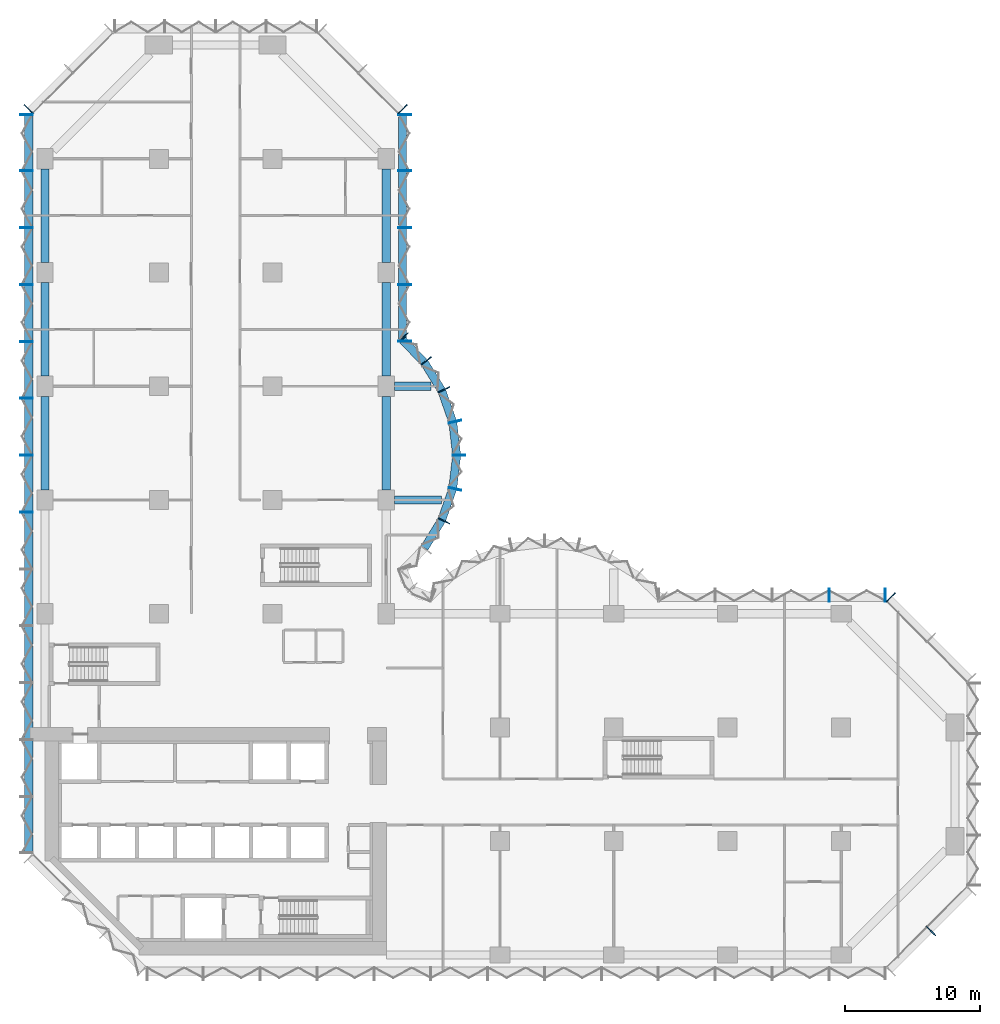
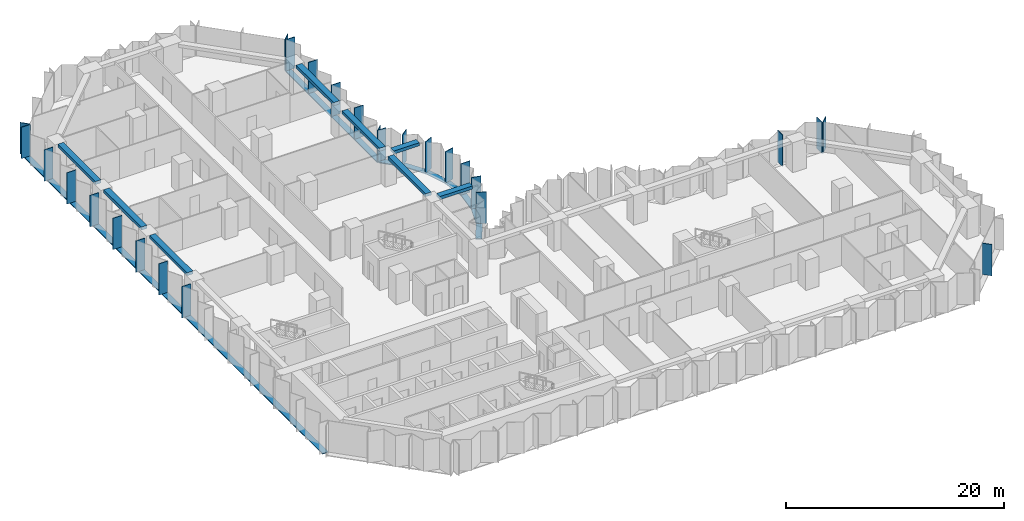
# One storey, part 3 of 15: 35 members, 8 beams, 8 elements without a shape of their own.
"""IFC4 building model written with IfcOpenShell, lengths in metres."""

from ifc_helpers import new_model, si_unit, direction, frame, origin, origin_2d, place, context, subcontext, project, spatial, rectangle, extrude, material, material_profile, profile_set, type_object, element, aggregate, save


model = new_model("IFC4")

# Units and contexts
model_context = context("Model", 3, precision=1e-05, world=origin(), true_north=direction((0.0, 1.0)))
body_context = subcontext(model_context, "Body", "Model", "MODEL_VIEW")
ifc_project = project(units=[si_unit("LENGTHUNIT", "METRE"), si_unit("AREAUNIT", "SQUARE_METRE"), si_unit("VOLUMEUNIT", "CUBIC_METRE"), si_unit("PLANEANGLEUNIT", "RADIAN"), si_unit("MASSUNIT", "GRAM", prefix="KILO")], contexts=[model_context])

# Site, building, storey
site_placement = place(None, origin())
site = spatial("IfcSite", under=ifc_project, at=site_placement, CompositionType="ELEMENT")
building_placement = place(site_placement, origin())
building = spatial("IfcBuilding", under=site, at=building_placement, Name="Brevane Broadcast Tower", CompositionType="ELEMENT")
storey_placement = place(building_placement, frame((0.0, 0.0, 61.699951171875)))
storey = spatial("IfcBuildingStorey", under=building, at=storey_placement, Name="L13", CompositionType="ELEMENT", Elevation=61.699951171875)

# Curtain wall, member
ifc_material_1 = material(Name="Aluminium 6063-T6 bronze anodised", Category="aluminium")
curtain_wall_type = type_object("IfcCurtainWallType", Name="CW-1 curtain wall", PredefinedType="NOTDEFINED", material=ifc_material_1)
curtain_wall_1_placement = place(storey_placement, origin())
curtain_wall_1 = element("IfcCurtainWall", 1, at=curtain_wall_1_placement, inside=storey, type_object=curtain_wall_type, Name="CW-1 typical tilted unit L13 south-east chamfer", PredefinedType="NOTDEFINED")
ifc_material_profile_1 = material_profile(ifc_material_1, rectangle(XDim=0.949951171875, YDim=0.070068359375, at=origin_2d()), Name="RECT 70x950")
ifc_profile_set_1 = profile_set([ifc_material_profile_1], Name="Aluminium 6063-T6 bronze anodised")
member_type_1 = type_object("IfcMemberType", Name="CW-1 mullion 70x950", PredefinedType="MULLION", material=ifc_profile_set_1)
member_1_placement = place(storey_placement, frame((65.435791015625, 1.76416015625, -0.14990234375), z_axis=(0.0, 0.0, 1.0), x_axis=(-0.707106781187, 0.707106781187, 0.0)))
member_1 = element("IfcMember", 2, at=member_1_placement, type_object=member_type_1, Name="CW-1 mullion", PredefinedType="MULLION", context=body_context, shape_type="SweptSolid", body=[
    extrude(rectangle(XDim=0.949951171875, YDim=0.070068359375, at=origin_2d()), origin(), (0.0, 0.0, 1.0), 3.5),
])
aggregate(curtain_wall_1, [member_1])

curtain_wall_2_placement = place(storey_placement, origin())
curtain_wall_2 = element("IfcCurtainWall", 3, at=curtain_wall_2_placement, inside=storey, type_object=curtain_wall_type, Name="CW-1 typical tilted unit L13 north-east chamfer", PredefinedType="NOTDEFINED")
member_2_placement = place(storey_placement, frame((62.460693359375, 26.4111328125, -0.14990234375), z_axis=(0.0, 0.0, 1.0), x_axis=(-0.707106781187, -0.707106781187, 0.0)))
member_2 = element("IfcMember", 4, at=member_2_placement, type_object=member_type_1, Name="CW-1 mullion", PredefinedType="MULLION", context=body_context, shape_type="SweptSolid", body=[
    extrude(rectangle(XDim=0.949951171875, YDim=0.070068359375, at=origin_2d()), origin(), (0.0, 0.0, 1.0), 3.5),
])
aggregate(curtain_wall_2, [member_2])

# Curtain wall, members
curtain_wall_3_placement = place(storey_placement, origin())
curtain_wall_3 = element("IfcCurtainWall", 5, at=curtain_wall_3_placement, inside=storey, type_object=curtain_wall_type, Name="CW-1 typical tilted unit L13 east arm north face", PredefinedType="NOTDEFINED")
member_3_placement = place(storey_placement, frame((62.06494140625, 26.574951171875, -0.14990234375), z_axis=(0.0, 0.0, 1.0), x_axis=(0.0, -1.0, 0.0)))
member_3 = element("IfcMember", 6, at=member_3_placement, type_object=member_type_1, Name="CW-1 mullion", PredefinedType="MULLION", context=body_context, shape_type="SweptSolid", body=[
    extrude(rectangle(XDim=0.949951171875, YDim=0.070068359375, at=origin_2d()), origin(), (0.0, 0.0, 1.0), 3.5),
])
member_4_placement = place(storey_placement, frame((57.89990234375, 26.574951171875, -0.14990234375), z_axis=(0.0, 0.0, 1.0), x_axis=(0.0, -1.0, 0.0)))
member_4 = element("IfcMember", 7, at=member_4_placement, type_object=member_type_1, Name="CW-1 mullion", PredefinedType="MULLION", context=body_context, shape_type="SweptSolid", body=[
    extrude(rectangle(XDim=0.949951171875, YDim=0.070068359375, at=origin_2d()), origin(), (0.0, 0.0, 1.0), 3.5),
])
aggregate(curtain_wall_3, [member_3, member_4])

curtain_wall_4_placement = place(storey_placement, origin())
curtain_wall_4 = element("IfcCurtainWall", 8, at=curtain_wall_4_placement, inside=storey, type_object=curtain_wall_type, Name="CW-1 typical tilted unit L13 north bow", PredefinedType="NOTDEFINED")
member_5_placement = place(storey_placement, frame((29.4580078125, 32.05322265625, -0.14990234375), z_axis=(0.0, 0.0, 1.0), x_axis=(-0.902860508933, 0.429933601163, 0.0)))
member_5 = element("IfcMember", 9, at=member_5_placement, type_object=member_type_1, Name="CW-1 mullion", PredefinedType="MULLION", context=body_context, shape_type="SweptSolid", body=[
    extrude(rectangle(XDim=0.949951171875, YDim=0.070068359375, at=origin_2d()), origin(), (0.0, 0.0, 1.0), 3.5),
])
member_6_placement = place(storey_placement, frame((30.28076171875, 34.411865234375, -0.14990234375), z_axis=(0.0, 0.0, 1.0), x_axis=(-0.974403430594, 0.224806482215, 0.0)))
member_6 = element("IfcMember", 10, at=member_6_placement, type_object=member_type_1, Name="CW-1 mullion", PredefinedType="MULLION", context=body_context, shape_type="SweptSolid", body=[
    extrude(rectangle(XDim=0.949951171875, YDim=0.070068359375, at=origin_2d()), origin(), (0.0, 0.0, 1.0), 3.5),
])
member_7_placement = place(storey_placement, frame((30.574951171875, 36.89990234375, -0.14990234375), z_axis=(0.0, 0.0, 1.0), x_axis=(-1.0, 0.0, 0.0)))
member_7 = element("IfcMember", 11, at=member_7_placement, type_object=member_type_1, Name="CW-1 mullion", PredefinedType="MULLION", context=body_context, shape_type="SweptSolid", body=[
    extrude(rectangle(XDim=0.949951171875, YDim=0.070068359375, at=origin_2d()), origin(), (0.0, 0.0, 1.0), 3.5),
])
member_8_placement = place(storey_placement, frame((30.28076171875, 39.38818359375, -0.14990234375), z_axis=(0.0, 0.0, 1.0), x_axis=(-0.974403430594, -0.224806482215, 0.0)))
member_8 = element("IfcMember", 12, at=member_8_placement, type_object=member_type_1, Name="CW-1 mullion", PredefinedType="MULLION", context=body_context, shape_type="SweptSolid", body=[
    extrude(rectangle(XDim=0.949951171875, YDim=0.070068359375, at=origin_2d()), origin(), (0.0, 0.0, 1.0), 3.5),
])
member_9_placement = place(storey_placement, frame((29.4580078125, 41.746826171875, -0.14990234375), z_axis=(0.0, 0.0, 1.0), x_axis=(-0.902860508933, -0.429933601163, 0.0)))
member_9 = element("IfcMember", 13, at=member_9_placement, type_object=member_type_1, Name="CW-1 mullion", PredefinedType="MULLION", context=body_context, shape_type="SweptSolid", body=[
    extrude(rectangle(XDim=0.949951171875, YDim=0.070068359375, at=origin_2d()), origin(), (0.0, 0.0, 1.0), 3.5),
])
member_10_placement = place(storey_placement, frame((28.1455078125, 43.8720703125, -0.14990234375), z_axis=(0.0, 0.0, 1.0), x_axis=(-0.788706642853, -0.614769738617, 0.0)))
member_10 = element("IfcMember", 14, at=member_10_placement, type_object=member_type_1, Name="CW-1 mullion", PredefinedType="MULLION", context=body_context, shape_type="SweptSolid", body=[
    extrude(rectangle(XDim=0.949951171875, YDim=0.070068359375, at=origin_2d()), origin(), (0.0, 0.0, 1.0), 3.5),
])
member_11_placement = place(storey_placement, frame((26.465087890625, 45.60595703125, -0.14990234375), z_axis=(0.0, 0.0, 1.0), x_axis=(-0.717253872699, -0.696811941702, 0.0)))
member_11 = element("IfcMember", 15, at=member_11_placement, type_object=member_type_1, Name="CW-1 mullion", PredefinedType="MULLION", context=body_context, shape_type="SweptSolid", body=[
    extrude(rectangle(XDim=0.949951171875, YDim=0.070068359375, at=origin_2d()), origin(), (0.0, 0.0, 1.0), 3.5),
])

curtain_wall_5_placement = place(storey_placement, origin())
curtain_wall_5 = element("IfcCurtainWall", 16, at=curtain_wall_5_placement, inside=storey, type_object=curtain_wall_type, Name="CW-1 typical tilted unit L13 north arm east face", PredefinedType="NOTDEFINED")
member_12_placement = place(storey_placement, frame((26.574951171875, 45.3349609375, -0.14990234375), z_axis=(0.0, 0.0, 1.0), x_axis=(-1.0, 0.0, 0.0)))
member_12 = element("IfcMember", 17, at=member_12_placement, type_object=member_type_1, Name="CW-1 mullion", PredefinedType="MULLION", context=body_context, shape_type="SweptSolid", body=[
    extrude(rectangle(XDim=0.949951171875, YDim=0.070068359375, at=origin_2d()), origin(), (0.0, 0.0, 1.0), 3.5),
])
member_13_placement = place(storey_placement, frame((26.574951171875, 49.5, -0.14990234375), z_axis=(0.0, 0.0, 1.0), x_axis=(-1.0, 0.0, 0.0)))
member_13 = element("IfcMember", 18, at=member_13_placement, type_object=member_type_1, Name="CW-1 mullion", PredefinedType="MULLION", context=body_context, shape_type="SweptSolid", body=[
    extrude(rectangle(XDim=0.949951171875, YDim=0.070068359375, at=origin_2d()), origin(), (0.0, 0.0, 1.0), 3.5),
])
member_14_placement = place(storey_placement, frame((26.574951171875, 53.699951171875, -0.14990234375), z_axis=(0.0, 0.0, 1.0), x_axis=(-1.0, 0.0, 0.0)))
member_14 = element("IfcMember", 19, at=member_14_placement, type_object=member_type_1, Name="CW-1 mullion", PredefinedType="MULLION", context=body_context, shape_type="SweptSolid", body=[
    extrude(rectangle(XDim=0.949951171875, YDim=0.070068359375, at=origin_2d()), origin(), (0.0, 0.0, 1.0), 3.5),
])
member_15_placement = place(storey_placement, frame((26.574951171875, 57.89990234375, -0.14990234375), z_axis=(0.0, 0.0, 1.0), x_axis=(-1.0, 0.0, 0.0)))
member_15 = element("IfcMember", 20, at=member_15_placement, type_object=member_type_1, Name="CW-1 mullion", PredefinedType="MULLION", context=body_context, shape_type="SweptSolid", body=[
    extrude(rectangle(XDim=0.949951171875, YDim=0.070068359375, at=origin_2d()), origin(), (0.0, 0.0, 1.0), 3.5),
])
member_16_placement = place(storey_placement, frame((26.574951171875, 62.06494140625, -0.14990234375), z_axis=(0.0, 0.0, 1.0), x_axis=(-1.0, 0.0, 0.0)))
member_16 = element("IfcMember", 21, at=member_16_placement, type_object=member_type_1, Name="CW-1 mullion", PredefinedType="MULLION", context=body_context, shape_type="SweptSolid", body=[
    extrude(rectangle(XDim=0.949951171875, YDim=0.070068359375, at=origin_2d()), origin(), (0.0, 0.0, 1.0), 3.5),
])

# Curtain wall, member
curtain_wall_6_placement = place(storey_placement, origin())
curtain_wall_6 = element("IfcCurtainWall", 22, at=curtain_wall_6_placement, inside=storey, type_object=curtain_wall_type, Name="CW-1 typical tilted unit L13 north arm north-east chamfer", PredefinedType="NOTDEFINED")
member_17_placement = place(storey_placement, frame((26.4111328125, 62.460693359375, -0.14990234375), z_axis=(0.0, 0.0, 1.0), x_axis=(-0.707106781187, -0.707106781187, 0.0)))
member_17 = element("IfcMember", 23, at=member_17_placement, type_object=member_type_1, Name="CW-1 mullion", PredefinedType="MULLION", context=body_context, shape_type="SweptSolid", body=[
    extrude(rectangle(XDim=0.949951171875, YDim=0.070068359375, at=origin_2d()), origin(), (0.0, 0.0, 1.0), 3.5),
])
aggregate(curtain_wall_6, [member_17])

curtain_wall_7_placement = place(storey_placement, origin())
curtain_wall_7 = element("IfcCurtainWall", 24, at=curtain_wall_7_placement, inside=storey, type_object=curtain_wall_type, Name="CW-1 typical tilted unit L13 north-west chamfer", PredefinedType="NOTDEFINED")
member_18_placement = place(storey_placement, frame((-1.211181640625, 62.460693359375, -0.14990234375), z_axis=(0.0, 0.0, 1.0), x_axis=(0.707106781187, -0.707106781187, 0.0)))
member_18 = element("IfcMember", 25, at=member_18_placement, type_object=member_type_1, Name="CW-1 mullion", PredefinedType="MULLION", context=body_context, shape_type="SweptSolid", body=[
    extrude(rectangle(XDim=0.949951171875, YDim=0.070068359375, at=origin_2d()), origin(), (0.0, 0.0, 1.0), 3.5),
])
aggregate(curtain_wall_7, [member_18])

# Curtain wall, members
curtain_wall_8_placement = place(storey_placement, origin())
curtain_wall_8 = element("IfcCurtainWall", 26, at=curtain_wall_8_placement, inside=storey, type_object=curtain_wall_type, Name="CW-1 typical tilted unit L13 west face", PredefinedType="NOTDEFINED")
member_19_placement = place(storey_placement, frame((-1.375, 62.06494140625, -0.14990234375), z_axis=(0.0, 0.0, 1.0), x_axis=(1.0, 0.0, 0.0)))
member_19 = element("IfcMember", 27, at=member_19_placement, type_object=member_type_1, Name="CW-1 mullion", PredefinedType="MULLION", context=body_context, shape_type="SweptSolid", body=[
    extrude(rectangle(XDim=0.949951171875, YDim=0.070068359375, at=origin_2d()), origin(), (0.0, 0.0, 1.0), 3.5),
])
member_20_placement = place(storey_placement, frame((-1.375, 57.89990234375, -0.14990234375), z_axis=(0.0, 0.0, 1.0), x_axis=(1.0, 0.0, 0.0)))
member_20 = element("IfcMember", 28, at=member_20_placement, type_object=member_type_1, Name="CW-1 mullion", PredefinedType="MULLION", context=body_context, shape_type="SweptSolid", body=[
    extrude(rectangle(XDim=0.949951171875, YDim=0.070068359375, at=origin_2d()), origin(), (0.0, 0.0, 1.0), 3.5),
])
member_21_placement = place(storey_placement, frame((-1.375, 53.699951171875, -0.14990234375), z_axis=(0.0, 0.0, 1.0), x_axis=(1.0, 0.0, 0.0)))
member_21 = element("IfcMember", 29, at=member_21_placement, type_object=member_type_1, Name="CW-1 mullion", PredefinedType="MULLION", context=body_context, shape_type="SweptSolid", body=[
    extrude(rectangle(XDim=0.949951171875, YDim=0.070068359375, at=origin_2d()), origin(), (0.0, 0.0, 1.0), 3.5),
])
member_22_placement = place(storey_placement, frame((-1.375, 49.5, -0.14990234375), z_axis=(0.0, 0.0, 1.0), x_axis=(1.0, 0.0, 0.0)))
member_22 = element("IfcMember", 30, at=member_22_placement, type_object=member_type_1, Name="CW-1 mullion", PredefinedType="MULLION", context=body_context, shape_type="SweptSolid", body=[
    extrude(rectangle(XDim=0.949951171875, YDim=0.070068359375, at=origin_2d()), origin(), (0.0, 0.0, 1.0), 3.5),
])
member_23_placement = place(storey_placement, frame((-1.375, 45.300048828125, -0.14990234375), z_axis=(0.0, 0.0, 1.0), x_axis=(1.0, 0.0, 0.0)))
member_23 = element("IfcMember", 31, at=member_23_placement, type_object=member_type_1, Name="CW-1 mullion", PredefinedType="MULLION", context=body_context, shape_type="SweptSolid", body=[
    extrude(rectangle(XDim=0.949951171875, YDim=0.070068359375, at=origin_2d()), origin(), (0.0, 0.0, 1.0), 3.5),
])
member_24_placement = place(storey_placement, frame((-1.375, 41.10009765625, -0.14990234375), z_axis=(0.0, 0.0, 1.0), x_axis=(1.0, 0.0, 0.0)))
member_24 = element("IfcMember", 32, at=member_24_placement, type_object=member_type_1, Name="CW-1 mullion", PredefinedType="MULLION", context=body_context, shape_type="SweptSolid", body=[
    extrude(rectangle(XDim=0.949951171875, YDim=0.070068359375, at=origin_2d()), origin(), (0.0, 0.0, 1.0), 3.5),
])
member_25_placement = place(storey_placement, frame((-1.375, 36.89990234375, -0.14990234375), z_axis=(0.0, 0.0, 1.0), x_axis=(1.0, 0.0, 0.0)))
member_25 = element("IfcMember", 33, at=member_25_placement, type_object=member_type_1, Name="CW-1 mullion", PredefinedType="MULLION", context=body_context, shape_type="SweptSolid", body=[
    extrude(rectangle(XDim=0.949951171875, YDim=0.070068359375, at=origin_2d()), origin(), (0.0, 0.0, 1.0), 3.5),
])
member_26_placement = place(storey_placement, frame((-1.375, 32.699951171875, -0.14990234375), z_axis=(0.0, 0.0, 1.0), x_axis=(1.0, 0.0, 0.0)))
member_26 = element("IfcMember", 34, at=member_26_placement, type_object=member_type_1, Name="CW-1 mullion", PredefinedType="MULLION", context=body_context, shape_type="SweptSolid", body=[
    extrude(rectangle(XDim=0.949951171875, YDim=0.070068359375, at=origin_2d()), origin(), (0.0, 0.0, 1.0), 3.5),
])

# Member
ifc_material_profile_2 = material_profile(ifc_material_1, rectangle(XDim=0.60009765625, YDim=0.10009765625, at=origin_2d()), Name="RECT 100x600")
ifc_profile_set_2 = profile_set([ifc_material_profile_2], Name="Aluminium 6063-T6 bronze anodised")
member_type_2 = type_object("IfcMemberType", Name="CW-1 transom 100x600", PredefinedType="USERDEFINED", material=ifc_profile_set_2)
member_27_placement = place(storey_placement, frame((28.023193359375, 30.0576171875, -0.199951171875), z_axis=(0.525427766759, 0.850838211365, 0.0), x_axis=(-0.850838211365, 0.525427766759, 0.0)))
member_27 = element("IfcMember", 35, at=member_27_placement, type_object=member_type_2, Name="CW-1 transom", ObjectType="TRANSOM", PredefinedType="USERDEFINED", context=body_context, shape_type="SweptSolid", body=[
    extrude(rectangle(XDim=0.60009765625, YDim=0.10009765625, at=origin_2d()), origin(), (0.0, 0.0, 1.0), 2.394775390625),
])

member_28_placement = place(storey_placement, frame((29.314208984375, 32.163818359375, -0.199951171875), z_axis=(0.329378497041, 0.944197969542, 0.0), x_axis=(-0.944197969542, 0.329378497041, 0.0)))
member_28 = element("IfcMember", 36, at=member_28_placement, type_object=member_type_2, Name="CW-1 transom", ObjectType="TRANSOM", PredefinedType="USERDEFINED", context=body_context, shape_type="SweptSolid", body=[
    extrude(rectangle(XDim=0.60009765625, YDim=0.10009765625, at=origin_2d()), origin(), (0.0, 0.0, 1.0), 2.394775390625),
])

member_29_placement = place(storey_placement, frame((30.117431640625, 34.499755859375, -0.199951171875), z_axis=(0.117603307202, 0.993060653805, 0.0), x_axis=(-0.993060653805, 0.117603307202, 0.0)))
member_29 = element("IfcMember", 37, at=member_29_placement, type_object=member_type_2, Name="CW-1 transom", ObjectType="TRANSOM", PredefinedType="USERDEFINED", context=body_context, shape_type="SweptSolid", body=[
    extrude(rectangle(XDim=0.60009765625, YDim=0.10009765625, at=origin_2d()), origin(), (0.0, 0.0, 1.0), 2.397705078125),
])

member_30_placement = place(storey_placement, frame((30.3994140625, 36.9189453125, -0.199951171875), z_axis=(-0.117591417, 0.993062061831, 0.0), x_axis=(-0.993062061831, -0.117591417, 0.0)))
member_30 = element("IfcMember", 38, at=member_30_placement, type_object=member_type_2, Name="CW-1 transom", ObjectType="TRANSOM", PredefinedType="USERDEFINED", context=body_context, shape_type="SweptSolid", body=[
    extrude(rectangle(XDim=0.60009765625, YDim=0.10009765625, at=origin_2d()), origin(), (0.0, 0.0, 1.0), 2.39794921875),
])

member_31_placement = place(storey_placement, frame((30.10302734375, 39.375, -0.199951171875), z_axis=(-0.329378497041, 0.944197969542, 0.0), x_axis=(-0.944197969542, -0.329378497041, 0.0)))
member_31 = element("IfcMember", 39, at=member_31_placement, type_object=member_type_2, Name="CW-1 transom", ObjectType="TRANSOM", PredefinedType="USERDEFINED", context=body_context, shape_type="SweptSolid", body=[
    extrude(rectangle(XDim=0.60009765625, YDim=0.10009765625, at=origin_2d()), origin(), (0.0, 0.0, 1.0), 2.394775390625),
])

member_32_placement = place(storey_placement, frame((29.281494140625, 41.704833984375, -0.199951171875), z_axis=(-0.525473345162, 0.850810063131, 0.0), x_axis=(-0.850810063131, -0.525473345162, 0.0)))
member_32 = element("IfcMember", 40, at=member_32_placement, type_object=member_type_2, Name="CW-1 transom", ObjectType="TRANSOM", PredefinedType="USERDEFINED", context=body_context, shape_type="SweptSolid", body=[
    extrude(rectangle(XDim=0.60009765625, YDim=0.10009765625, at=origin_2d()), origin(), (0.0, 0.0, 1.0), 2.39453125),
])

member_33_placement = place(storey_placement, frame((27.974365234375, 43.800537109375, -0.199951171875), z_axis=(-0.696823999134, 0.71724215871, 0.0), x_axis=(-0.71724215871, -0.696823999134, 0.0)))
member_33 = element("IfcMember", 41, at=member_33_placement, type_object=member_type_2, Name="CW-1 transom", ObjectType="TRANSOM", PredefinedType="USERDEFINED", context=body_context, shape_type="SweptSolid", body=[
    extrude(rectangle(XDim=0.60009765625, YDim=0.10009765625, at=origin_2d()), origin(), (0.0, 0.0, 1.0), 2.247802734375),
])

aggregate(curtain_wall_4, [member_5, member_6, member_7, member_8, member_9, member_10, member_11, member_27, member_28, member_29, member_30, member_31, member_32, member_33])

member_34_placement = place(storey_placement, frame((26.39990234375, 45.300048828125, -0.199951171875), z_axis=(0.0, 1.0, 0.0), x_axis=(-1.0, 0.0, 0.0)))
member_34 = element("IfcMember", 42, at=member_34_placement, type_object=member_type_2, Name="CW-1 transom", ObjectType="TRANSOM", PredefinedType="USERDEFINED", context=body_context, shape_type="SweptSolid", body=[
    extrude(rectangle(XDim=0.60009765625, YDim=0.10009765625, at=origin_2d()), origin(), (0.0, 0.0, 1.0), 16.800048828125),
])

aggregate(curtain_wall_5, [member_12, member_13, member_14, member_15, member_16, member_34])

member_35_placement = place(storey_placement, frame((-1.199951171875, 62.10009765625, -0.199951171875), z_axis=(0.0, -1.0, 0.0), x_axis=(1.0, 0.0, 0.0)))
member_35 = element("IfcMember", 43, at=member_35_placement, type_object=member_type_2, Name="CW-1 transom", ObjectType="TRANSOM", PredefinedType="USERDEFINED", context=body_context, shape_type="SweptSolid", body=[
    extrude(rectangle(XDim=0.60009765625, YDim=0.10009765625, at=origin_2d()), origin(), (0.0, 0.0, 1.0), 54.60009765625),
])

aggregate(curtain_wall_8, [member_19, member_20, member_21, member_22, member_23, member_24, member_25, member_26, member_35])

# Beams
ifc_material_2 = material(Name="Concrete C40/50", Category="concrete")
ifc_material_profile_3 = material_profile(ifc_material_2, rectangle(XDim=0.60009765625, YDim=0.35009765625, at=origin_2d()), Name="RC 600x350")
ifc_profile_set_3 = profile_set([ifc_material_profile_3], Name="Concrete C40/50")
beam_type_1 = type_object("IfcBeamType", Name="RC BRACKET BEAM 600x350 C40/50", PredefinedType="BEAM", material=ifc_profile_set_3)
beam_1_placement = place(storey_placement, frame((25.800048828125, 33.60009765625, 3.175048828125), z_axis=(1.0, 0.0, 0.0), x_axis=(0.0, 1.0, 0.0)))
element("IfcBeam", 44, at=beam_1_placement, inside=storey, type_object=beam_type_1, Name="EB2 L13-1", PredefinedType="BEAM", context=body_context, shape_type="SweptSolid", body=[
    extrude(rectangle(XDim=0.60009765625, YDim=0.35009765625, at=origin_2d()), origin(), (0.0, 0.0, 1.0), 3.4619140625),
])
beam_2_placement = place(storey_placement, frame((25.800048828125, 42.0, 3.175048828125), z_axis=(1.0, 0.0, 0.0), x_axis=(0.0, 1.0, 0.0)))
element("IfcBeam", 45, at=beam_2_placement, inside=storey, type_object=beam_type_1, Name="EB2 L13-2", PredefinedType="BEAM", context=body_context, shape_type="SweptSolid", body=[
    extrude(rectangle(XDim=0.60009765625, YDim=0.35009765625, at=origin_2d()), origin(), (0.0, 0.0, 1.0), 2.71142578125),
])
ifc_material_profile_4 = material_profile(ifc_material_2, rectangle(XDim=0.60009765625, YDim=0.35009765625, at=origin_2d()), Name="RC 600x350")
ifc_profile_set_4 = profile_set([ifc_material_profile_4], Name="Concrete C40/50")
beam_type_2 = type_object("IfcBeamType", Name="RC SPANDREL BEAM 600x350 C40/50", PredefinedType="SPANDREL", material=ifc_profile_set_4)
for number, where, z_axis, x_axis, name in (
    (46, (25.199951171875, 34.35009765625, 3.175048828125), (0.0, 1.0, 0.0), (-1.0, 0.0, 0.0), "EB1 L13-13"),
    (47, (25.199951171875, 42.75, 3.175048828125), (0.0, 1.0, 0.0), (-1.0, 0.0, 0.0), "EB1 L13-14"),
):
    element("IfcBeam", number, at=place(storey_placement, frame(where, z_axis=z_axis, x_axis=x_axis)), inside=storey, type_object=beam_type_2, Name=name, PredefinedType="SPANDREL", context=body_context, shape_type="SweptSolid", body=[
        extrude(rectangle(XDim=0.60009765625, YDim=0.35009765625, at=origin_2d()), origin(), (0.0, 0.0, 1.0), 6.89990234375),
    ])
for number, where, z_axis, x_axis, name in (
    (48, (25.199951171875, 51.14990234375, 3.175048828125), (0.0, 1.0, 0.0), (-1.0, 0.0, 0.0), "EB1 L13-15"),
    (49, (0.0, 58.050048828125, 3.175048828125), (0.0, -1.0, 0.0), (1.0, 0.0, 0.0), "EB1 L13-19"),
):
    element("IfcBeam", number, at=place(storey_placement, frame(where, z_axis=z_axis, x_axis=x_axis)), inside=storey, type_object=beam_type_2, Name=name, PredefinedType="SPANDREL", context=body_context, shape_type="SweptSolid", body=[
        extrude(rectangle(XDim=0.60009765625, YDim=0.35009765625, at=origin_2d()), origin(), (0.0, 0.0, 1.0), 6.900146484375),
    ])
for number, where, z_axis, x_axis, name in (
    (50, (0.0, 49.64990234375, 3.175048828125), (0.0, -1.0, 0.0), (1.0, 0.0, 0.0), "EB1 L13-20"),
    (51, (0.0, 41.25, 3.175048828125), (0.0, -1.0, 0.0), (1.0, 0.0, 0.0), "EB1 L13-21"),
):
    element("IfcBeam", number, at=place(storey_placement, frame(where, z_axis=z_axis, x_axis=x_axis)), inside=storey, type_object=beam_type_2, Name=name, PredefinedType="SPANDREL", context=body_context, shape_type="SweptSolid", body=[
        extrude(rectangle(XDim=0.60009765625, YDim=0.35009765625, at=origin_2d()), origin(), (0.0, 0.0, 1.0), 6.89990234375),
    ])

save(model, "model.ifc")
